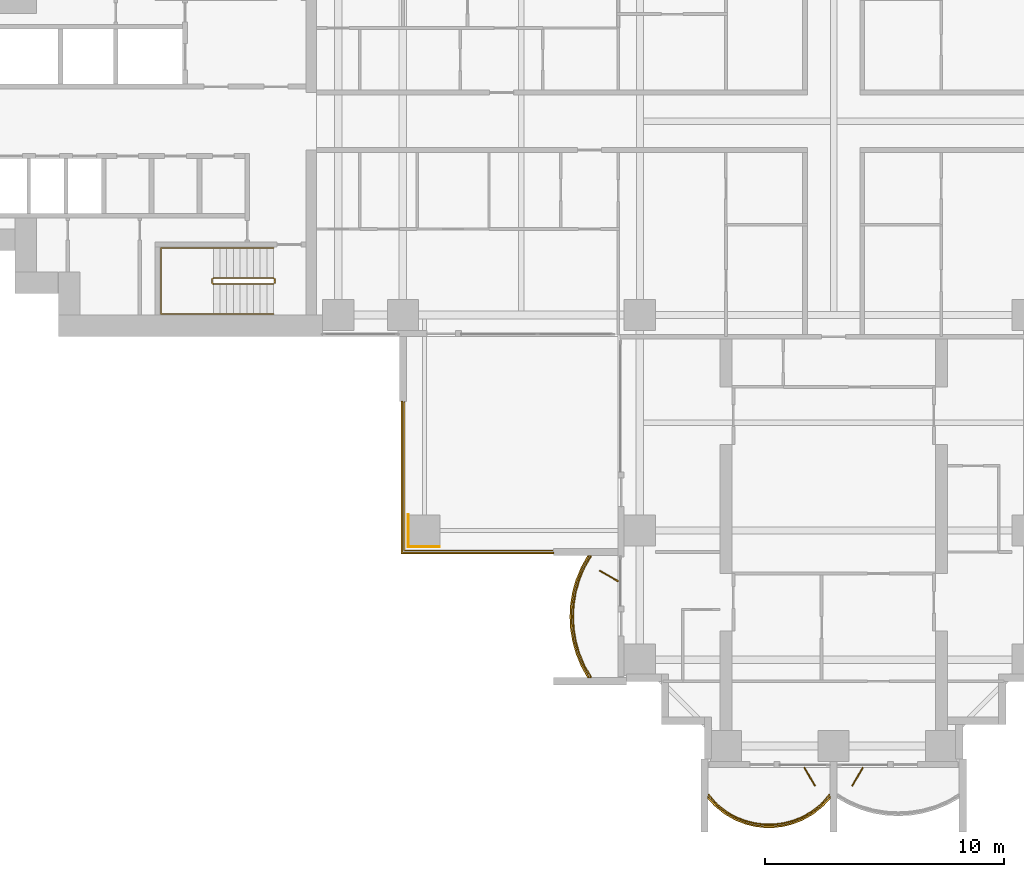
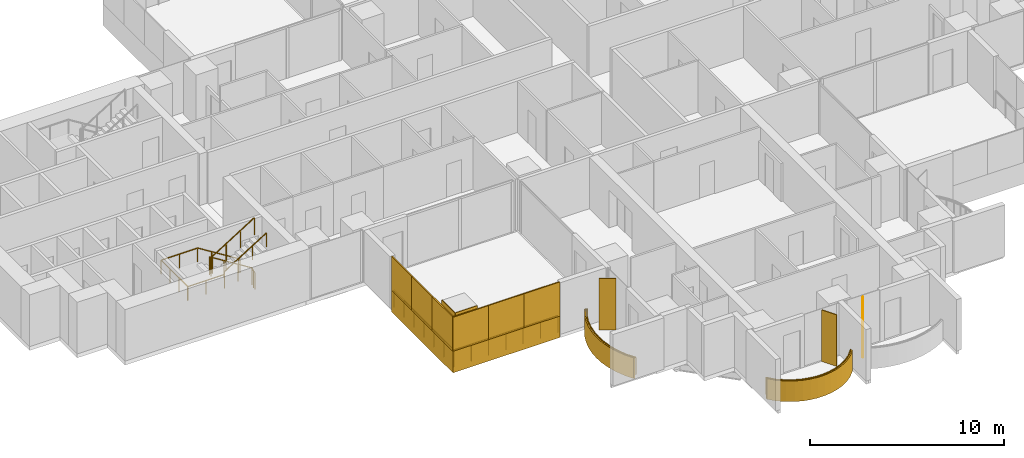
# One storey, part 18 of 21: 11 coverings, 5 railings, 3 shading devices.
"""IFC4 building model written with IfcOpenShell, lengths in metres."""

import ifcopenshell
import ifcopenshell.guid

model = None  # the IFC model being written
_history = None  # IfcOwnerHistory: only IFC2X3 demands one
_inside = {}  # id of a spatial element -> (the spatial element, [elements in it])
_under = {}  # id of a project, library or spatial element -> (it, [spatial elements below it])
_declared = {}  # id of a project -> (the project, [libraries it declares])
_typed = {}  # id of a type object -> (the type object, [elements of that type])
_made_of = {}  # id of a material, layer set ... -> (it, [elements and type objects made of it])


def new_model(schema):
    """Start an empty IFC model of exactly this schema.

    Asked for "IFC4X3", IfcOpenShell would pick the latest addendum, in which some entities
    have other attributes; the version numbers below select the first issue.
    IFC2X3 requires an IfcOwnerHistory on every rooted entity: one is made here for all.
    """
    global model, _history
    if schema == "IFC4X3":
        model = ifcopenshell.file(schema_version=(4, 3, 0, 0))
    else:
        model = ifcopenshell.file(schema=schema)
    _inside.clear()
    _under.clear()
    _declared.clear()
    _typed.clear()
    _made_of.clear()
    _history = None
    if model.schema == "IFC2X3":
        org = make("IfcOrganization", Name="unknown")
        user = make(
            "IfcPersonAndOrganization",
            ThePerson=make("IfcPerson", FamilyName="unknown"),
            TheOrganization=org,
        )
        app = make(
            "IfcApplication",
            ApplicationDeveloper=org,
            Version="unknown",
            ApplicationFullName="unknown",
            ApplicationIdentifier="unknown",
        )
        _history = make(
            "IfcOwnerHistory",
            OwningUser=user,
            OwningApplication=app,
            ChangeAction="ADDED",
            CreationDate=0,
        )
    return model


def make(cls, **values):
    """One entity of the class cls with the attributes given. An attribute that is None is left unset."""
    return model.create_entity(
        cls, **{name: value for name, value in values.items() if value is not None}
    )


def rooted(cls, **values):
    """An entity with a GlobalId (a new one), such as an element, a storey or a relation."""
    return make(cls, GlobalId=ifcopenshell.guid.new(), OwnerHistory=_history, **values)


def si_unit(unit_type, name, prefix=None):
    """IfcSIUnit, for example si_unit("LENGTHUNIT", "METRE", prefix="MILLI")."""
    return make("IfcSIUnit", UnitType=unit_type, Prefix=prefix, Name=name)


def assignment(units):
    """IfcUnitAssignment: the units of a project."""
    return None if units is None else make("IfcUnitAssignment", Units=units)


def point(xyz):
    """IfcCartesianPoint."""
    return None if xyz is None else make("IfcCartesianPoint", Coordinates=xyz)


def direction(xyz):
    """IfcDirection."""
    return None if xyz is None else make("IfcDirection", DirectionRatios=xyz)


def frame(location, z_axis=None, x_axis=None):
    """IfcAxis2Placement3D, a coordinate frame: its origin and axes. An axis left out is left unset."""
    return make(
        "IfcAxis2Placement3D",
        Location=point(location),
        Axis=direction(z_axis),
        RefDirection=direction(x_axis),
    )


def frame_2d(location, x_axis=None):
    """IfcAxis2Placement2D, a coordinate frame in the plane: its origin and x axis."""
    return make(
        "IfcAxis2Placement2D", Location=point(location), RefDirection=direction(x_axis)
    )


def origin():
    """The frame at (0, 0, 0) with its axes left unset."""
    return frame((0.0, 0.0, 0.0))


def origin_2d():
    """The frame at (0, 0) in the plane with its x axis left unset."""
    return frame_2d((0.0, 0.0))


def place(relative_to, where):
    """IfcLocalPlacement: puts the frame where relative to a parent placement (None: the world)."""
    return make(
        "IfcLocalPlacement", PlacementRelTo=relative_to, RelativePlacement=where
    )


def context(
    kind, dimensions, precision=None, world=None, true_north=None, identifier=None
):
    """IfcGeometricRepresentationContext, for example the 3D "Model" context."""
    return make(
        "IfcGeometricRepresentationContext",
        ContextIdentifier=identifier,
        ContextType=kind,
        CoordinateSpaceDimension=dimensions,
        Precision=precision,
        WorldCoordinateSystem=world,
        TrueNorth=true_north,
    )


def subcontext(parent, identifier, kind, view, scale=None):
    """IfcGeometricRepresentationSubContext, for example "Body" below "Model"."""
    return make(
        "IfcGeometricRepresentationSubContext",
        ContextIdentifier=identifier,
        ContextType=kind,
        ParentContext=parent,
        TargetScale=scale,
        TargetView=view,
    )


def project(units=None, contexts=None):
    """IfcProject with its units and contexts."""
    return rooted(
        "IfcProject",
        Name="project",
        RepresentationContexts=contexts,
        UnitsInContext=assignment(units),
    )


def spatial(cls, under=None, at=None, **own):
    """A site, building, storey or space (cls), placed at a placement, below another one or the project."""
    s = rooted(cls, ObjectPlacement=at, **own)
    if under is not None:
        _under.setdefault(under.id(), (under, []))[1].append(s)
    return s


def polyline(points):
    """IfcPolyline through the points."""
    return make("IfcPolyline", Points=[point(p) for p in points])


def profile(cls, at=None, kind="AREA", **sizes):
    """A parametric profile (cls). Its sizes go by their IFC names, for example OverallWidth=200.0."""
    return make(cls, ProfileType=kind, Position=at, **sizes)


def rectangle(**sizes):
    """IfcRectangleProfileDef."""
    return profile("IfcRectangleProfileDef", **sizes)


def outline(outer, holes=None, kind="AREA"):
    """IfcArbitraryClosedProfileDef: a profile drawn as a closed curve; with holes, ...WithVoids."""
    if holes is None:
        return make("IfcArbitraryClosedProfileDef", ProfileType=kind, OuterCurve=outer)
    return make(
        "IfcArbitraryProfileDefWithVoids",
        ProfileType=kind,
        OuterCurve=outer,
        InnerCurves=holes,
    )


def extrude(swept, where, along, depth):
    """IfcExtrudedAreaSolid: the profile swept, set in the frame where, extruded along a direction by depth."""
    return make(
        "IfcExtrudedAreaSolid",
        SweptArea=swept,
        Position=where,
        ExtrudedDirection=direction(along),
        Depth=depth,
    )


def shape(context_of_items, identifier, shape_type, items):
    """IfcShapeRepresentation: the items that make up one representation, for example the "Body"."""
    return make(
        "IfcShapeRepresentation",
        ContextOfItems=context_of_items,
        RepresentationIdentifier=identifier,
        RepresentationType=shape_type,
        Items=items,
    )


def material(Name=None, Category=None):
    """IfcMaterial."""
    return make("IfcMaterial", Name=Name, Category=Category)


def layer(
    of_material, thickness, ventilated=None, Name=None, Category=None, Priority=None
):
    """IfcMaterialLayer: one layer of a wall or slab, of a material (None: an air gap)."""
    return make(
        "IfcMaterialLayer",
        Material=of_material,
        LayerThickness=thickness,
        IsVentilated=ventilated,
        Name=Name,
        Category=Category,
        Priority=Priority,
    )


def layer_set(layers, Name=None):
    """IfcMaterialLayerSet."""
    return make("IfcMaterialLayerSet", MaterialLayers=layers, LayerSetName=Name)


def made_of(thing, what):
    """Note that an element or type object is made of a material, layer set ...; save() writes the relation."""
    if what is not None:
        _made_of.setdefault(what.id(), (what, []))[1].append(thing)
    return thing


def type_object(cls, material=None, **own):
    """A type object (cls), such as IfcWallType, which elements share."""
    return made_of(rooted(cls, **own), material)


def element(
    cls,
    number,
    at=None,
    inside=None,
    cuts=None,
    type_object=None,
    material=None,
    context=None,
    identifier="Body",
    shape_type=None,
    held_by="IfcProductDefinitionShape",
    body=None,
    shapes=None,
    **own,
):
    """One element of the class cls, such as IfcWall. Its Tag is "e" and its number.

    at: its placement. inside: the storey or other place that contains it. cuts: it is an
    opening in that element (IfcRelVoidsElement). A single representation is given by context,
    identifier, shape_type and body (its items); several are given by shapes. held_by: the class
    of the entity that holds the representations. save() writes the other relations.
    """
    e = rooted(cls, Tag="e%d" % number, ObjectPlacement=at, **own)
    if body is not None:
        shapes = [shape(context, identifier, shape_type, body)]
    if shapes is not None:
        e.Representation = make(held_by, Representations=shapes)
    if inside is not None:
        _inside.setdefault(inside.id(), (inside, []))[1].append(e)
    if cuts is not None:
        rooted(
            "IfcRelVoidsElement", RelatingBuildingElement=cuts, RelatedOpeningElement=e
        )
    if type_object is not None:
        _typed.setdefault(type_object.id(), (type_object, []))[1].append(e)
    return made_of(e, material)


def aggregate(whole, parts):
    """IfcRelAggregates: a whole, such as a stair, and the parts it consists of."""
    return rooted("IfcRelAggregates", RelatingObject=whole, RelatedObjects=parts)


def save(model, path):
    """Write the relations noted so far, then the file.

    IfcRelAggregates (storeys below a building ...), IfcRelContainedInSpatialStructure (elements
    in a storey), IfcRelDefinesByType, IfcRelAssociatesMaterial and IfcRelDeclares: one each for
    every whole, place, type object, material and project.
    """
    for whole, parts in _under.values():
        aggregate(whole, parts)
    for where, things in _inside.values():
        rooted(
            "IfcRelContainedInSpatialStructure",
            RelatedElements=things,
            RelatingStructure=where,
        )
    for kind, things in _typed.values():
        rooted("IfcRelDefinesByType", RelatedObjects=things, RelatingType=kind)
    for what, things in _made_of.values():
        rooted("IfcRelAssociatesMaterial", RelatedObjects=things, RelatingMaterial=what)
    for by, libraries in _declared.values():
        rooted("IfcRelDeclares", RelatingContext=by, RelatedDefinitions=libraries)
    model.write(path)


model = new_model("IFC4")

# Units and contexts
model_context = context("Model", 3, precision=1e-05, world=origin(), true_north=direction((0.0, 1.0)))
body_context = subcontext(model_context, "Body", "Model", "MODEL_VIEW")
ifc_project = project(units=[si_unit("LENGTHUNIT", "METRE"), si_unit("AREAUNIT", "SQUARE_METRE"), si_unit("VOLUMEUNIT", "CUBIC_METRE"), si_unit("PLANEANGLEUNIT", "RADIAN"), si_unit("MASSUNIT", "GRAM", prefix="KILO")], contexts=[model_context])

# Site, building, storey
site_placement = place(None, origin())
site = spatial("IfcSite", under=ifc_project, at=site_placement, CompositionType="ELEMENT")
building_placement = place(site_placement, origin())
building = spatial("IfcBuilding", under=site, at=building_placement, Name="Perihelion Cross Residences", CompositionType="ELEMENT")
storey_placement = place(building_placement, frame((0.0, 0.0, 40.0)))
storey = spatial("IfcBuildingStorey", under=building, at=storey_placement, Name="L06", CompositionType="ELEMENT", Elevation=40.0)

# Coverings
ifc_material_1 = material(Name="Bronze anodised aluminium", Category="aluminium")
ifc_layer_1 = layer(ifc_material_1, 0.070068359375)
ifc_layer_set_1 = layer_set([ifc_layer_1], Name="Balcony fascia 1300")
covering_type_1 = type_object("IfcCoveringType", Name="Balcony fascia 1300", PredefinedType="CLADDING", material=ifc_layer_set_1)
covering_1_placement = place(storey_placement, frame((0.0, 0.0, -0.199951171875)))
element("IfcCovering", 1, at=covering_1_placement, inside=storey, type_object=covering_type_1, Name="Fascia BF1 L06 south side west bay 2", PredefinedType="CLADDING", context=body_context, shape_type="SweptSolid", body=[
    extrude(outline(polyline([(-10.54833984375, -18.629638671875), (-10.7607421875, -19.147216796875), (-10.906494140625, -19.664794921875), (-10.991943359375, -20.182373046875), (-11.02001953125, -20.699951171875), (-10.991943359375, -21.217529296875), (-10.906494140625, -21.735107421875), (-10.7607421875, -22.2529296875), (-10.54833984375, -22.7705078125), (-10.2802734375, -23.25), (-10.199951171875, -23.25), (-10.4853515625, -22.739990234375), (-10.694580078125, -22.22998046875), (-10.838134765625, -21.719970703125), (-10.92236328125, -21.2099609375), (-10.949951171875, -20.699951171875), (-10.92236328125, -20.18994140625), (-10.838134765625, -19.679931640625), (-10.694580078125, -19.169921875), (-10.4853515625, -18.659912109375), (-10.199951171875, -18.14990234375), (-10.2802734375, -18.14990234375), (-10.54833984375, -18.629638671875)])), origin(), (0.0, 0.0, 1.0), 1.300048828125),
])
covering_2_placement = place(storey_placement, frame((0.0, 0.0, -0.199951171875)))
element("IfcCovering", 2, at=covering_2_placement, inside=storey, type_object=covering_type_1, Name="Fascia BF1 L06 south tip south bay 1", PredefinedType="CLADDING", context=body_context, shape_type="SweptSolid", body=[
    extrude(outline(polyline([(-4.90478515625, -28.674072265625), (-4.50390625, -28.982666015625), (-4.10302734375, -29.20654296875), (-3.7021484375, -29.364013671875), (-3.30126953125, -29.464599609375), (-2.900390625, -29.513916015625), (-2.49951171875, -29.513916015625), (-2.0986328125, -29.464599609375), (-1.69775390625, -29.364013671875), (-1.296875, -29.20654296875), (-0.89599609375, -28.982666015625), (-0.4951171875, -28.674072265625), (-0.14990234375, -28.302734375), (-0.14990234375, -28.199951171875), (-0.542236328125, -28.622314453125), (-0.9345703125, -28.924072265625), (-1.326904296875, -29.143310546875), (-1.71923828125, -29.29736328125), (-2.111572265625, -29.39599609375), (-2.50390625, -29.444091796875), (-2.896240234375, -29.444091796875), (-3.28857421875, -29.39599609375), (-3.6806640625, -29.29736328125), (-4.072998046875, -29.143310546875), (-4.46533203125, -28.924072265625), (-4.857666015625, -28.622314453125), (-5.25, -28.199951171875), (-5.25, -28.302734375), (-4.90478515625, -28.674072265625)])), origin(), (0.0, 0.0, 1.0), 1.300048828125),
])

# Railings
ifc_material_2 = material(Name="Bronze anodised aluminium", Category="aluminium")
railing_type_1 = type_object("IfcRailingType", Name="Balcony guard 1100", PredefinedType="GUARDRAIL", material=ifc_material_2)
railing_1_placement = place(storey_placement, frame((-10.139892578125, -18.175048828125, 0.0)))
element("IfcRailing", 3, at=railing_1_placement, inside=storey, type_object=railing_type_1, Name="Guard GU1 L06 south side west bay 2 balcony", PredefinedType="GUARDRAIL", context=body_context, shape_type="SweptSolid", body=[
    extrude(rectangle(XDim=0.048095703125, YDim=0.048095703125, at=origin_2d()), frame((0.0, 0.0, 1.076171875), z_axis=(-0.507266632806, -0.861789164031, 0.0), x_axis=(0.861789164031, -0.507266632806, 0.0)), (0.0, 0.0, 1.0), 0.562744140625),
    extrude(rectangle(XDim=0.048095703125, YDim=0.048095703125, at=origin_2d()), frame((-0.285400390625, -0.48486328125, 1.076171875), z_axis=(-0.379546636342, -0.925172605972, 0.0), x_axis=(0.925172605972, -0.379546636342, 0.0)), (0.0, 0.0, 1.0), 0.55126953125),
    extrude(rectangle(XDim=0.048095703125, YDim=0.048095703125, at=origin_2d()), frame((-0.49462890625, -0.994873046875, 1.076171875), z_axis=(-0.271372618732, -0.962474364231, 0.0), x_axis=(0.962474364231, -0.271372618732, 0.0)), (0.0, 0.0, 1.0), 0.52978515625),
    extrude(rectangle(XDim=0.048095703125, YDim=0.048095703125, at=origin_2d()), frame((-0.638427734375, -1.5048828125, 1.076171875), z_axis=(-0.162483799314, -0.986711211531, 0.0), x_axis=(0.986711211531, -0.162483799314, 0.0)), (0.0, 0.0, 1.0), 0.516845703125),
    extrude(rectangle(XDim=0.048095703125, YDim=0.048095703125, at=origin_2d()), frame((-0.722412109375, -2.014892578125, 1.076171875), z_axis=(-0.05401390175, -0.998540183677, 0.0), x_axis=(0.998540183677, -0.05401390175, 0.0)), (0.0, 0.0, 1.0), 0.5107421875),
    extrude(rectangle(XDim=0.048095703125, YDim=0.048095703125, at=origin_2d()), frame((-0.75, -2.52490234375, 1.076171875), z_axis=(0.05401390175, -0.998540183677, 0.0), x_axis=(0.998540183677, 0.05401390175, 0.0)), (0.0, 0.0, 1.0), 0.5107421875),
    extrude(rectangle(XDim=0.048095703125, YDim=0.048095703125, at=origin_2d()), frame((-0.722412109375, -3.034912109375, 1.076171875), z_axis=(0.162483799314, -0.986711211531, 0.0), x_axis=(0.986711211531, 0.162483799314, 0.0)), (0.0, 0.0, 1.0), 0.516845703125),
    extrude(rectangle(XDim=0.048095703125, YDim=0.048095703125, at=origin_2d()), frame((-0.638427734375, -3.544921875, 1.076171875), z_axis=(0.271372618732, -0.962474364231, 0.0), x_axis=(0.962474364231, 0.271372618732, 0.0)), (0.0, 0.0, 1.0), 0.52978515625),
    extrude(rectangle(XDim=0.048095703125, YDim=0.048095703125, at=origin_2d()), frame((-0.49462890625, -4.054931640625, 1.076171875), z_axis=(0.379546636342, -0.925172605972, 0.0), x_axis=(0.925172605972, 0.379546636342, 0.0)), (0.0, 0.0, 1.0), 0.55126953125),
    extrude(rectangle(XDim=0.048095703125, YDim=0.048095703125, at=origin_2d()), frame((-0.285400390625, -4.56494140625, 1.076171875), z_axis=(0.507076995033, -0.861900760591, 0.0), x_axis=(0.861900760591, 0.507076995033, 0.0)), (0.0, 0.0, 1.0), 0.562744140625),
    extrude(rectangle(XDim=0.0419921875, YDim=0.0419921875, at=origin_2d()), origin(), (0.0, 0.0, 1.0), 1.052001953125),
    extrude(rectangle(XDim=0.0419921875, YDim=0.0419921875, at=origin_2d()), frame((-0.285400390625, -0.48486328125, 0.0)), (0.0, 0.0, 1.0), 1.052001953125),
    extrude(rectangle(XDim=0.0419921875, YDim=0.0419921875, at=origin_2d()), frame((-0.49462890625, -0.994873046875, 0.0)), (0.0, 0.0, 1.0), 1.052001953125),
    extrude(rectangle(XDim=0.0419921875, YDim=0.0419921875, at=origin_2d()), frame((-0.638427734375, -1.5048828125, 0.0)), (0.0, 0.0, 1.0), 1.052001953125),
    extrude(rectangle(XDim=0.0419921875, YDim=0.0419921875, at=origin_2d()), frame((-0.722412109375, -2.014892578125, 0.0)), (0.0, 0.0, 1.0), 1.052001953125),
    extrude(rectangle(XDim=0.0419921875, YDim=0.0419921875, at=origin_2d()), frame((-0.75, -2.52490234375, 0.0)), (0.0, 0.0, 1.0), 1.052001953125),
    extrude(rectangle(XDim=0.0419921875, YDim=0.0419921875, at=origin_2d()), frame((-0.722412109375, -3.034912109375, 0.0)), (0.0, 0.0, 1.0), 1.052001953125),
    extrude(rectangle(XDim=0.0419921875, YDim=0.0419921875, at=origin_2d()), frame((-0.638427734375, -3.544921875, 0.0)), (0.0, 0.0, 1.0), 1.052001953125),
    extrude(rectangle(XDim=0.0419921875, YDim=0.0419921875, at=origin_2d()), frame((-0.49462890625, -4.054931640625, 0.0)), (0.0, 0.0, 1.0), 1.052001953125),
    extrude(rectangle(XDim=0.0419921875, YDim=0.0419921875, at=origin_2d()), frame((-0.285400390625, -4.56494140625, 0.0)), (0.0, 0.0, 1.0), 1.052001953125),
    extrude(rectangle(XDim=0.0419921875, YDim=0.0419921875, at=origin_2d()), frame((0.0, -5.050048828125, 0.0)), (0.0, 0.0, 1.0), 1.052001953125),
])
railing_2_placement = place(storey_placement, frame((-5.22509765625, -28.139892578125, 0.0)))
element("IfcRailing", 4, at=railing_2_placement, inside=storey, type_object=railing_type_1, Name="Guard GU1 L06 south tip south bay 1 balcony", PredefinedType="GUARDRAIL", context=body_context, shape_type="SweptSolid", body=[
    extrude(rectangle(XDim=0.048095703125, YDim=0.048095703125, at=origin_2d()), frame((0.0, 0.0, 1.076171875), z_axis=(0.656340655493, -0.754464673757, 0.0), x_axis=(0.754464673757, 0.656340655493, 0.0)), (0.0, 0.0, 1.0), 0.559814453125),
    extrude(rectangle(XDim=0.048095703125, YDim=0.048095703125, at=origin_2d()), frame((0.367431640625, -0.42236328125, 1.076171875), z_axis=(0.792660660899, -0.60966308455, 0.0), x_axis=(0.60966308455, 0.792660660899, 0.0)), (0.0, 0.0, 1.0), 0.494873046875),
    extrude(rectangle(XDim=0.048095703125, YDim=0.048095703125, at=origin_2d()), frame((0.759765625, -0.72412109375, 1.076171875), z_axis=(0.872950285698, -0.487809182674, 0.0), x_axis=(0.487809182674, 0.872950285698, 0.0)), (0.0, 0.0, 1.0), 0.449462890625),
    extrude(rectangle(XDim=0.048095703125, YDim=0.048095703125, at=origin_2d()), frame((1.152099609375, -0.943359375, 1.076171875), z_axis=(0.930814842219, -0.365491079925, 0.0), x_axis=(0.365491079925, 0.930814842219, 0.0)), (0.0, 0.0, 1.0), 0.42138671875),
    extrude(rectangle(XDim=0.048095703125, YDim=0.048095703125, at=origin_2d()), frame((1.54443359375, -1.097412109375, 1.076171875), z_axis=(0.969786252666, -0.243956193074, 0.0), x_axis=(0.243956193074, 0.969786252666, 0.0)), (0.0, 0.0, 1.0), 0.404296875),
    extrude(rectangle(XDim=0.048095703125, YDim=0.048095703125, at=origin_2d()), frame((1.9365234375, -1.196044921875, 1.076171875), z_axis=(0.992569651699, -0.121677797999, 0.0), x_axis=(0.121677797999, 0.992569651699, 0.0)), (0.0, 0.0, 1.0), 0.395263671875),
    extrude(rectangle(XDim=0.048095703125, YDim=0.048095703125, at=origin_2d()), frame((2.328857421875, -1.244140625, 1.076171875), z_axis=(1.0, 0.0, 0.0), x_axis=(0.0, 1.0, 0.0)), (0.0, 0.0, 1.0), 0.392333984375),
    extrude(rectangle(XDim=0.048095703125, YDim=0.048095703125, at=origin_2d()), frame((2.72119140625, -1.244140625, 1.076171875), z_axis=(0.992569651699, 0.121677797999, 0.0), x_axis=(-0.121677797999, 0.992569651699, 0.0)), (0.0, 0.0, 1.0), 0.395263671875),
    extrude(rectangle(XDim=0.048095703125, YDim=0.048095703125, at=origin_2d()), frame((3.113525390625, -1.196044921875, 1.076171875), z_axis=(0.969822159145, 0.243813411509, 0.0), x_axis=(-0.243813411509, 0.969822159145, 0.0)), (0.0, 0.0, 1.0), 0.404541015625),
    extrude(rectangle(XDim=0.048095703125, YDim=0.048095703125, at=origin_2d()), frame((3.505859375, -1.097412109375, 1.076171875), z_axis=(0.930814842219, 0.365491079925, 0.0), x_axis=(-0.365491079925, 0.930814842219, 0.0)), (0.0, 0.0, 1.0), 0.42138671875),
    extrude(rectangle(XDim=0.048095703125, YDim=0.048095703125, at=origin_2d()), frame((3.898193359375, -0.943359375, 1.076171875), z_axis=(0.872950285698, 0.487809182674, 0.0), x_axis=(-0.487809182674, 0.872950285698, 0.0)), (0.0, 0.0, 1.0), 0.449462890625),
    extrude(rectangle(XDim=0.048095703125, YDim=0.048095703125, at=origin_2d()), frame((4.29052734375, -0.72412109375, 1.076171875), z_axis=(0.792660660899, 0.60966308455, 0.0), x_axis=(-0.60966308455, 0.792660660899, 0.0)), (0.0, 0.0, 1.0), 0.494873046875),
    extrude(rectangle(XDim=0.048095703125, YDim=0.048095703125, at=origin_2d()), frame((4.682861328125, -0.42236328125, 1.076171875), z_axis=(0.656092309534, 0.754680648599, 0.0), x_axis=(-0.754680648599, 0.656092309534, 0.0)), (0.0, 0.0, 1.0), 0.5595703125),
    extrude(rectangle(XDim=0.0419921875, YDim=0.0419921875, at=origin_2d()), origin(), (0.0, 0.0, 1.0), 1.052001953125),
    extrude(rectangle(XDim=0.0419921875, YDim=0.0419921875, at=origin_2d()), frame((0.367431640625, -0.42236328125, 0.0)), (0.0, 0.0, 1.0), 1.052001953125),
    extrude(rectangle(XDim=0.0419921875, YDim=0.0419921875, at=origin_2d()), frame((0.759765625, -0.72412109375, 0.0)), (0.0, 0.0, 1.0), 1.052001953125),
    extrude(rectangle(XDim=0.0419921875, YDim=0.0419921875, at=origin_2d()), frame((1.152099609375, -0.943359375, 0.0)), (0.0, 0.0, 1.0), 1.052001953125),
    extrude(rectangle(XDim=0.0419921875, YDim=0.0419921875, at=origin_2d()), frame((1.54443359375, -1.097412109375, 0.0)), (0.0, 0.0, 1.0), 1.052001953125),
    extrude(rectangle(XDim=0.0419921875, YDim=0.0419921875, at=origin_2d()), frame((1.9365234375, -1.196044921875, 0.0)), (0.0, 0.0, 1.0), 1.052001953125),
    extrude(rectangle(XDim=0.0419921875, YDim=0.0419921875, at=origin_2d()), frame((2.328857421875, -1.244140625, 0.0)), (0.0, 0.0, 1.0), 1.052001953125),
    extrude(rectangle(XDim=0.0419921875, YDim=0.0419921875, at=origin_2d()), frame((2.72119140625, -1.244140625, 0.0)), (0.0, 0.0, 1.0), 1.052001953125),
    extrude(rectangle(XDim=0.0419921875, YDim=0.0419921875, at=origin_2d()), frame((3.113525390625, -1.196044921875, 0.0)), (0.0, 0.0, 1.0), 1.052001953125),
    extrude(rectangle(XDim=0.0419921875, YDim=0.0419921875, at=origin_2d()), frame((3.505859375, -1.097412109375, 0.0)), (0.0, 0.0, 1.0), 1.052001953125),
    extrude(rectangle(XDim=0.0419921875, YDim=0.0419921875, at=origin_2d()), frame((3.898193359375, -0.943359375, 0.0)), (0.0, 0.0, 1.0), 1.052001953125),
    extrude(rectangle(XDim=0.0419921875, YDim=0.0419921875, at=origin_2d()), frame((4.29052734375, -0.72412109375, 0.0)), (0.0, 0.0, 1.0), 1.052001953125),
    extrude(rectangle(XDim=0.0419921875, YDim=0.0419921875, at=origin_2d()), frame((4.682861328125, -0.42236328125, 0.0)), (0.0, 0.0, 1.0), 1.052001953125),
    extrude(rectangle(XDim=0.0419921875, YDim=0.0419921875, at=origin_2d()), frame((5.050048828125, 0.0, 0.0)), (0.0, 0.0, 1.0), 1.052001953125),
])
railing_3_placement = place(storey_placement, frame((-11.739990234375, -17.93994140625, 0.0)))
element("IfcRailing", 5, at=railing_3_placement, inside=storey, type_object=railing_type_1, Name="Guard GU1 L06 pocket south-west 1", PredefinedType="GUARDRAIL", context=body_context, shape_type="SweptSolid", body=[
    extrude(rectangle(XDim=0.048095703125, YDim=0.048095703125, at=origin_2d()), frame((0.0, 0.0, 1.076171875), z_axis=(-1.0, 0.0, 0.0), x_axis=(0.0, -1.0, 0.0)), (0.0, 0.0, 1.0), 6.199951171875),
    extrude(rectangle(XDim=0.048095703125, YDim=0.048095703125, at=origin_2d()), frame((-6.199951171875, 0.0, 1.076171875), z_axis=(0.0, 1.0, 0.0), x_axis=(-1.0, 0.0, 0.0)), (0.0, 0.0, 1.0), 6.199951171875),
    extrude(rectangle(XDim=0.0419921875, YDim=0.0419921875, at=origin_2d()), origin(), (0.0, 0.0, 1.0), 1.052001953125),
    extrude(rectangle(XDim=0.0419921875, YDim=0.0419921875, at=origin_2d()), frame((-1.033203125, 0.0, 0.0)), (0.0, 0.0, 1.0), 1.052001953125),
    extrude(rectangle(XDim=0.0419921875, YDim=0.0419921875, at=origin_2d()), frame((-2.066650390625, 0.0, 0.0)), (0.0, 0.0, 1.0), 1.052001953125),
    extrude(rectangle(XDim=0.0419921875, YDim=0.0419921875, at=origin_2d()), frame((-3.10009765625, 0.0, 0.0)), (0.0, 0.0, 1.0), 1.052001953125),
    extrude(rectangle(XDim=0.0419921875, YDim=0.0419921875, at=origin_2d()), frame((-4.13330078125, 0.0, 0.0)), (0.0, 0.0, 1.0), 1.052001953125),
    extrude(rectangle(XDim=0.0419921875, YDim=0.0419921875, at=origin_2d()), frame((-5.16650390625, 0.0, 0.0)), (0.0, 0.0, 1.0), 1.052001953125),
    extrude(rectangle(XDim=0.0419921875, YDim=0.0419921875, at=origin_2d()), frame((-6.199951171875, 0.0, 0.0)), (0.0, 0.0, 1.0), 1.052001953125),
    extrude(rectangle(XDim=0.0419921875, YDim=0.0419921875, at=origin_2d()), frame((-6.199951171875, 1.033203125, 0.0)), (0.0, 0.0, 1.0), 1.052001953125),
    extrude(rectangle(XDim=0.0419921875, YDim=0.0419921875, at=origin_2d()), frame((-6.199951171875, 2.066650390625, 0.0)), (0.0, 0.0, 1.0), 1.052001953125),
    extrude(rectangle(XDim=0.0419921875, YDim=0.0419921875, at=origin_2d()), frame((-6.199951171875, 3.10009765625, 0.0)), (0.0, 0.0, 1.0), 1.052001953125),
    extrude(rectangle(XDim=0.0419921875, YDim=0.0419921875, at=origin_2d()), frame((-6.199951171875, 4.13330078125, 0.0)), (0.0, 0.0, 1.0), 1.052001953125),
    extrude(rectangle(XDim=0.0419921875, YDim=0.0419921875, at=origin_2d()), frame((-6.199951171875, 5.16650390625, 0.0)), (0.0, 0.0, 1.0), 1.052001953125),
    extrude(rectangle(XDim=0.0419921875, YDim=0.0419921875, at=origin_2d()), frame((-6.199951171875, 6.199951171875, 0.0)), (0.0, 0.0, 1.0), 1.052001953125),
])

# Coverings
ifc_material_3 = material(Name="Bronze anodised aluminium", Category="aluminium")
ifc_layer_2 = layer(ifc_material_3, 0.0400390625)
ifc_layer_set_2 = layer_set([ifc_layer_2], Name="Bronze column casing 40")
covering_type_2 = type_object("IfcCoveringType", Name="Bronze column casing 40", PredefinedType="CLADDING", material=ifc_layer_set_2)
covering_3_placement = place(storey_placement, frame((-17.77001953125, -17.10009765625, -0.25), z_axis=(0.0, 0.0, 1.0), x_axis=(1.0, 0.0, 0.0)))
element("IfcCovering", 6, at=covering_3_placement, inside=storey, type_object=covering_type_2, Name="Cladding CC1 L06 casing east-west no. 1", PredefinedType="CLADDING", context=body_context, shape_type="SweptSolid", body=[
    extrude(rectangle(XDim=0.0400390625, YDim=1.3798828125, at=origin_2d()), origin(), (0.0, 0.0, 1.0), 3.5),
])
covering_4_placement = place(storey_placement, frame((-17.10009765625, -17.77001953125, -0.25), z_axis=(0.0, 0.0, 1.0), x_axis=(1.0, 0.0, 0.0)))
element("IfcCovering", 7, at=covering_4_placement, inside=storey, type_object=covering_type_2, Name="Cladding CC1 L06 casing north-south no. 1", PredefinedType="CLADDING", context=body_context, shape_type="SweptSolid", body=[
    extrude(rectangle(XDim=1.300048828125, YDim=0.0400390625, at=origin_2d()), origin(), (0.0, 0.0, 1.0), 3.5),
])

# Shading devices
ifc_material_4 = material(Name="Bronze anodised aluminium", Category="aluminium")
ifc_layer_3 = layer(ifc_material_4, 0.050048828125)
ifc_layer_set_3 = layer_set([ifc_layer_3], Name="Bronze fin 900")
shading_device_type = type_object("IfcShadingDeviceType", Name="Bronze fin 900", PredefinedType="USERDEFINED", material=ifc_layer_set_3)
for number, where, z_axis, x_axis, name in (
    (8, (-9.3896484375, -19.0, 0.0), (0.0, 0.0, 1.0), (-0.866025403784, 0.5, 0.0), "Fin FN1 L06 south side west bay 2"),
    (9, (-1.0, -27.3896484375, 0.0), (0.0, 0.0, 1.0), (0.5, -0.866025403784, 0.0), "Fin FN1 L06 south tip south bay 1"),
    (10, (1.0, -27.3896484375, 0.0), (0.0, 0.0, 1.0), (-0.5, -0.866025403784, 0.0), "Fin FN1 L06 south tip south bay 2"),
):
    element("IfcShadingDevice", number, at=place(storey_placement, frame(where, z_axis=z_axis, x_axis=x_axis)), inside=storey, type_object=shading_device_type, Name=name, ObjectType="FIN", PredefinedType="USERDEFINED", context=body_context, shape_type="SweptSolid", body=[
        extrude(rectangle(XDim=0.89990234375, YDim=0.050048828125, at=origin_2d()), origin(), (0.0, 0.0, 1.0), 3.25),
    ])

# Coverings
ifc_material_5 = material(Name="Bronze anodised aluminium", Category="aluminium")
ifc_layer_4 = layer(ifc_material_5, 0.070068359375)
ifc_layer_set_4 = layer_set([ifc_layer_4], Name="Pocket fascia 1350")
covering_type_3 = type_object("IfcCoveringType", Name="Pocket fascia 1350", PredefinedType="CLADDING", material=ifc_layer_set_4)
covering_5_placement = place(storey_placement, frame((0.0, 0.0, -0.25)))
element("IfcCovering", 11, at=covering_5_placement, inside=storey, type_object=covering_type_3, Name="Fascia BF2 L06 pocket south-west 1", PredefinedType="CLADDING", context=body_context, shape_type="SweptSolid", body=[
    extrude(outline(polyline([(-18.070068359375, -11.699951171875), (-18.070068359375, -18.070068359375), (-11.699951171875, -18.070068359375), (-11.699951171875, -18.0), (-18.0, -18.0), (-18.0, -11.699951171875), (-18.070068359375, -11.699951171875)])), origin(), (0.0, 0.0, 1.0), 1.35009765625),
])
ifc_material_6 = material(Name="Bronze perforated aluminium", Category="aluminium")
ifc_layer_5 = layer(ifc_material_6, 0.070068359375)
ifc_layer_set_5 = layer_set([ifc_layer_5], Name="Pocket solar screen, bronze perforated")
covering_type_4 = type_object("IfcCoveringType", Name="Pocket solar screen, bronze perforated", PredefinedType="CLADDING", material=ifc_layer_set_5)
covering_6_placement = place(storey_placement, frame((0.0, 0.0, 1.10009765625)))
element("IfcCovering", 12, at=covering_6_placement, inside=storey, type_object=covering_type_4, Name="Solar screen PS1 L06 pocket south-west no. 1", PredefinedType="CLADDING", context=body_context, shape_type="SweptSolid", body=[
    extrude(outline(polyline([(-18.0, -18.0), (-18.0, -15.89990234375), (-18.070068359375, -15.89990234375), (-18.070068359375, -18.0), (-18.0, -18.0)])), origin(), (0.0, 0.0, 1.0), 2.14990234375),
])
covering_7_placement = place(storey_placement, frame((0.0, 0.0, 1.10009765625)))
element("IfcCovering", 13, at=covering_7_placement, inside=storey, type_object=covering_type_4, Name="Solar screen PS1 L06 pocket south-west no. 2", PredefinedType="CLADDING", context=body_context, shape_type="SweptSolid", body=[
    extrude(outline(polyline([(-18.0, -15.89990234375), (-18.0, -13.800048828125), (-18.070068359375, -13.800048828125), (-18.070068359375, -15.89990234375), (-18.0, -15.89990234375)])), origin(), (0.0, 0.0, 1.0), 2.14990234375),
])
covering_8_placement = place(storey_placement, frame((0.0, 0.0, 1.10009765625)))
element("IfcCovering", 14, at=covering_8_placement, inside=storey, type_object=covering_type_4, Name="Solar screen PS1 L06 pocket south-west no. 3", PredefinedType="CLADDING", context=body_context, shape_type="SweptSolid", body=[
    extrude(outline(polyline([(-18.0, -13.800048828125), (-18.0, -11.699951171875), (-18.070068359375, -11.699951171875), (-18.070068359375, -13.800048828125), (-18.0, -13.800048828125)])), origin(), (0.0, 0.0, 1.0), 2.14990234375),
])
covering_9_placement = place(storey_placement, frame((0.0, 0.0, 1.10009765625)))
element("IfcCovering", 15, at=covering_9_placement, inside=storey, type_object=covering_type_4, Name="Solar screen PS1 L06 pocket south-west no. 4", PredefinedType="CLADDING", context=body_context, shape_type="SweptSolid", body=[
    extrude(outline(polyline([(-15.94677734375, -18.070068359375), (-15.94677734375, -18.0), (-18.070068359375, -18.0), (-18.070068359375, -18.070068359375), (-15.94677734375, -18.070068359375)])), origin(), (0.0, 0.0, 1.0), 2.14990234375),
])
covering_10_placement = place(storey_placement, frame((0.0, 0.0, 1.10009765625)))
element("IfcCovering", 16, at=covering_10_placement, inside=storey, type_object=covering_type_4, Name="Solar screen PS1 L06 pocket south-west no. 5", PredefinedType="CLADDING", context=body_context, shape_type="SweptSolid", body=[
    extrude(outline(polyline([(-13.8232421875, -18.070068359375), (-13.8232421875, -18.0), (-15.94677734375, -18.0), (-15.94677734375, -18.070068359375), (-13.8232421875, -18.070068359375)])), origin(), (0.0, 0.0, 1.0), 2.14990234375),
])
covering_11_placement = place(storey_placement, frame((0.0, 0.0, 1.10009765625)))
element("IfcCovering", 17, at=covering_11_placement, inside=storey, type_object=covering_type_4, Name="Solar screen PS1 L06 pocket south-west no. 6", PredefinedType="CLADDING", context=body_context, shape_type="SweptSolid", body=[
    extrude(outline(polyline([(-11.699951171875, -18.070068359375), (-11.699951171875, -18.0), (-13.8232421875, -18.0), (-13.8232421875, -18.070068359375), (-11.699951171875, -18.070068359375)])), origin(), (0.0, 0.0, 1.0), 2.14990234375),
])

# Railings
ifc_material_7 = material(Name="Stainless steel", Category="steel")
railing_type_2 = type_object("IfcRailingType", Name="Stair guard 1100", PredefinedType="GUARDRAIL", material=ifc_material_7)
railing_4_placement = place(storey_placement, frame((-23.35009765625, -6.75, 0.0)))
element("IfcRailing", 18, at=railing_4_placement, inside=storey, type_object=railing_type_2, Name="L06 ST-W2 stair guard 1", PredefinedType="GUARDRAIL", context=body_context, shape_type="SweptSolid", body=[
    extrude(rectangle(XDim=0.048095703125, YDim=0.048095703125, at=origin_2d()), frame((0.0, 0.0, 1.076171875), z_axis=(0.0, 1.0, 0.0), x_axis=(-1.0, 0.0, 0.0)), (0.0, 0.0, 1.0), 0.14990234375),
    extrude(rectangle(XDim=0.048095703125, YDim=0.048095703125, at=origin_2d()), frame((0.0, 0.14990234375, 1.076171875), z_axis=(-0.263862480399, 0.265155923931, 0.927399011991), x_axis=(-0.708833529934, -0.705375805398, 0.0)), (0.0, 0.0, 1.0), 0.188720703125),
    extrude(rectangle(XDim=0.048095703125, YDim=0.048095703125, at=origin_2d()), frame((-0.0498046875, 0.199951171875, 1.2509765625), z_axis=(-0.848007534815, 0.0, 0.529984170421), x_axis=(0.0, -1.0, 0.0)), (0.0, 0.0, 1.0), 2.9716796875),
    extrude(rectangle(XDim=0.048095703125, YDim=0.048095703125, at=origin_2d()), frame((-2.56982421875, 0.199951171875, 2.826171875), z_axis=(-0.707106781187, -0.707106781187, 0.0), x_axis=(0.707106781187, -0.707106781187, 0.0)), (0.0, 0.0, 1.0), 0.07080078125),
    extrude(rectangle(XDim=0.048095703125, YDim=0.048095703125, at=origin_2d()), frame((-2.619873046875, 0.14990234375, 2.826171875), z_axis=(0.0, -1.0, 0.0), x_axis=(1.0, 0.0, 0.0)), (0.0, 0.0, 1.0), 0.14990234375),
    extrude(rectangle(XDim=0.048095703125, YDim=0.048095703125, at=origin_2d()), frame((-2.619873046875, 0.0, 2.826171875), z_axis=(0.265065253269, -0.265065253269, 0.927081885822), x_axis=(0.707106781187, 0.707106781187, 0.0)), (0.0, 0.0, 1.0), 0.188720703125),
    extrude(rectangle(XDim=0.048095703125, YDim=0.048095703125, at=origin_2d()), frame((-2.56982421875, -0.050048828125, 3.0009765625), z_axis=(0.848007534815, 0.0, 0.529984170421), x_axis=(0.0, 1.0, 0.0)), (0.0, 0.0, 1.0), 2.9716796875),
    extrude(rectangle(XDim=0.0419921875, YDim=0.0419921875, at=origin_2d()), origin(), (0.0, 0.0, 1.0), 1.052001953125),
    extrude(rectangle(XDim=0.0419921875, YDim=0.0419921875, at=origin_2d()), frame((0.0, 0.14990234375, 0.0)), (0.0, 0.0, 1.0), 1.052001953125),
    extrude(rectangle(XDim=0.0419921875, YDim=0.0419921875, at=origin_2d()), frame((-0.0498046875, 0.199951171875, 0.175048828125)), (0.0, 0.0, 1.0), 1.052001953125),
    extrude(rectangle(XDim=0.0419921875, YDim=0.0419921875, at=origin_2d()), frame((-0.889892578125, 0.199951171875, 0.699951171875)), (0.0, 0.0, 1.0), 1.052001953125),
    extrude(rectangle(XDim=0.0419921875, YDim=0.0419921875, at=origin_2d()), frame((-1.729736328125, 0.199951171875, 1.22509765625)), (0.0, 0.0, 1.0), 1.052001953125),
    extrude(rectangle(XDim=0.0419921875, YDim=0.0419921875, at=origin_2d()), frame((-2.56982421875, 0.199951171875, 1.75)), (0.0, 0.0, 1.0), 1.052001953125),
    extrude(rectangle(XDim=0.0419921875, YDim=0.0419921875, at=origin_2d()), frame((-2.619873046875, 0.14990234375, 1.75)), (0.0, 0.0, 1.0), 1.052001953125),
    extrude(rectangle(XDim=0.0419921875, YDim=0.0419921875, at=origin_2d()), frame((-2.619873046875, 0.0, 1.75)), (0.0, 0.0, 1.0), 1.052001953125),
    extrude(rectangle(XDim=0.0419921875, YDim=0.0419921875, at=origin_2d()), frame((-2.56982421875, -0.050048828125, 1.925048828125)), (0.0, 0.0, 1.0), 1.052001953125),
    extrude(rectangle(XDim=0.0419921875, YDim=0.0419921875, at=origin_2d()), frame((-1.729736328125, -0.050048828125, 2.449951171875)), (0.0, 0.0, 1.0), 1.052001953125),
    extrude(rectangle(XDim=0.0419921875, YDim=0.0419921875, at=origin_2d()), frame((-0.889892578125, -0.050048828125, 2.97509765625)), (0.0, 0.0, 1.0), 1.052001953125),
    extrude(rectangle(XDim=0.0419921875, YDim=0.0419921875, at=origin_2d()), frame((-0.0498046875, -0.050048828125, 3.5)), (0.0, 0.0, 1.0), 1.052001953125),
])
ifc_material_8 = material(Name="Stainless steel", Category="steel")
railing_type_3 = type_object("IfcRailingType", Name="Stair handrail 900", PredefinedType="HANDRAIL", material=ifc_material_8)
railing_5_placement = place(storey_placement, frame((-23.39990234375, -5.300048828125, 0.175048828125)))
element("IfcRailing", 19, at=railing_5_placement, inside=storey, type_object=railing_type_3, Name="L06 ST-W2 stair handrail 1", PredefinedType="HANDRAIL", context=body_context, shape_type="SweptSolid", body=[
    extrude(rectangle(XDim=0.048095703125, YDim=0.048095703125, at=origin_2d()), frame((0.0, 0.0, 0.8759765625), z_axis=(-0.848007534815, 0.0, 0.529984170421), x_axis=(0.0, -1.0, 0.0)), (0.0, 0.0, 1.0), 2.9716796875),
    extrude(rectangle(XDim=0.048095703125, YDim=0.048095703125, at=origin_2d()), frame((-2.52001953125, 0.0, 2.45068359375), z_axis=(-1.0, 0.0, 0.0), x_axis=(0.0, -1.0, 0.0)), (0.0, 0.0, 1.0), 2.18017578125),
    extrude(rectangle(XDim=0.048095703125, YDim=0.048095703125, at=origin_2d()), frame((-4.7001953125, 0.0, 2.45068359375), z_axis=(0.0, -1.0, 0.0), x_axis=(1.0, 0.0, 0.0)), (0.0, 0.0, 1.0), 2.75),
    extrude(rectangle(XDim=0.048095703125, YDim=0.048095703125, at=origin_2d()), frame((-4.7001953125, -2.75, 2.45068359375), z_axis=(1.0, 0.0, 0.0), x_axis=(0.0, 1.0, 0.0)), (0.0, 0.0, 1.0), 2.18017578125),
    extrude(rectangle(XDim=0.048095703125, YDim=0.048095703125, at=origin_2d()), frame((-2.52001953125, -2.75, 2.45068359375), z_axis=(0.0, 0.0, 1.0), x_axis=(1.0, 0.0, 0.0)), (0.0, 0.0, 1.0), 0.175048828125),
    extrude(rectangle(XDim=0.048095703125, YDim=0.048095703125, at=origin_2d()), frame((-2.52001953125, -2.75, 2.6259765625), z_axis=(0.848007534815, 0.0, 0.529984170421), x_axis=(0.0, 1.0, 0.0)), (0.0, 0.0, 1.0), 2.9716796875),
    extrude(rectangle(XDim=0.0419921875, YDim=0.0419921875, at=origin_2d()), origin(), (0.0, 0.0, 1.0), 0.851806640625),
    extrude(rectangle(XDim=0.0419921875, YDim=0.0419921875, at=origin_2d()), frame((-0.840087890625, 0.0, 0.52490234375)), (0.0, 0.0, 1.0), 0.851806640625),
    extrude(rectangle(XDim=0.0419921875, YDim=0.0419921875, at=origin_2d()), frame((-1.679931640625, 0.0, 1.050048828125)), (0.0, 0.0, 1.0), 0.851806640625),
    extrude(rectangle(XDim=0.0419921875, YDim=0.0419921875, at=origin_2d()), frame((-2.52001953125, 0.0, 1.574951171875)), (0.0, 0.0, 1.0), 0.851806640625),
    extrude(rectangle(XDim=0.0419921875, YDim=0.0419921875, at=origin_2d()), frame((-3.610107421875, 0.0, 1.574951171875)), (0.0, 0.0, 1.0), 0.851806640625),
    extrude(rectangle(XDim=0.0419921875, YDim=0.0419921875, at=origin_2d()), frame((-4.7001953125, 0.0, 1.574951171875)), (0.0, 0.0, 1.0), 0.851806640625),
    extrude(rectangle(XDim=0.0419921875, YDim=0.0419921875, at=origin_2d()), frame((-4.7001953125, -0.916748046875, 1.574951171875)), (0.0, 0.0, 1.0), 0.851806640625),
    extrude(rectangle(XDim=0.0419921875, YDim=0.0419921875, at=origin_2d()), frame((-4.7001953125, -1.833251953125, 1.574951171875)), (0.0, 0.0, 1.0), 0.851806640625),
    extrude(rectangle(XDim=0.0419921875, YDim=0.0419921875, at=origin_2d()), frame((-4.7001953125, -2.75, 1.574951171875)), (0.0, 0.0, 1.0), 0.851806640625),
    extrude(rectangle(XDim=0.0419921875, YDim=0.0419921875, at=origin_2d()), frame((-3.610107421875, -2.75, 1.574951171875)), (0.0, 0.0, 1.0), 0.851806640625),
    extrude(rectangle(XDim=0.0419921875, YDim=0.0419921875, at=origin_2d()), frame((-2.52001953125, -2.75, 1.574951171875)), (0.0, 0.0, 1.0), 0.851806640625),
    extrude(rectangle(XDim=0.0419921875, YDim=0.0419921875, at=origin_2d()), frame((-2.52001953125, -2.75, 1.75)), (0.0, 0.0, 1.0), 0.851806640625),
    extrude(rectangle(XDim=0.0419921875, YDim=0.0419921875, at=origin_2d()), frame((-1.679931640625, -2.75, 2.27490234375)), (0.0, 0.0, 1.0), 0.851806640625),
    extrude(rectangle(XDim=0.0419921875, YDim=0.0419921875, at=origin_2d()), frame((-0.840087890625, -2.75, 2.800048828125)), (0.0, 0.0, 1.0), 0.851806640625),
    extrude(rectangle(XDim=0.0419921875, YDim=0.0419921875, at=origin_2d()), frame((0.0, -2.75, 3.324951171875)), (0.0, 0.0, 1.0), 0.851806640625),
])

save(model, "model.ifc")
